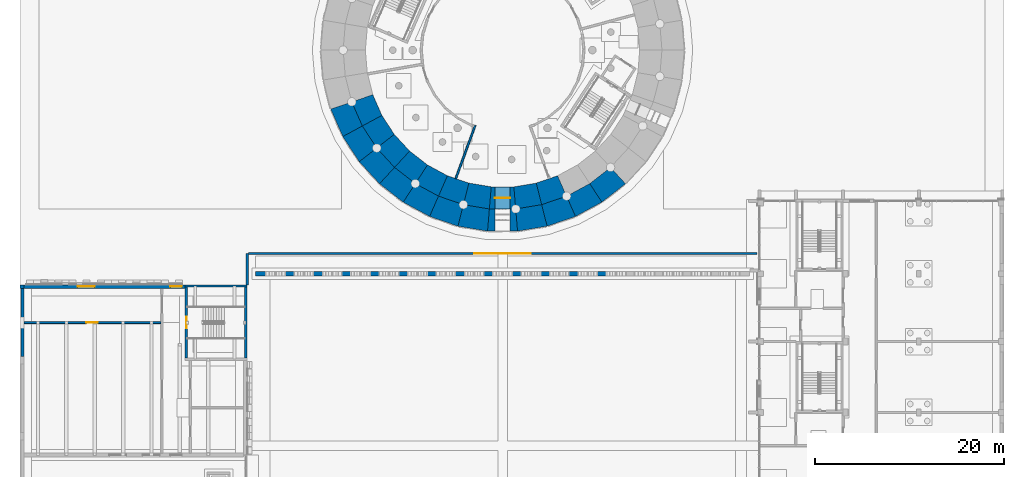
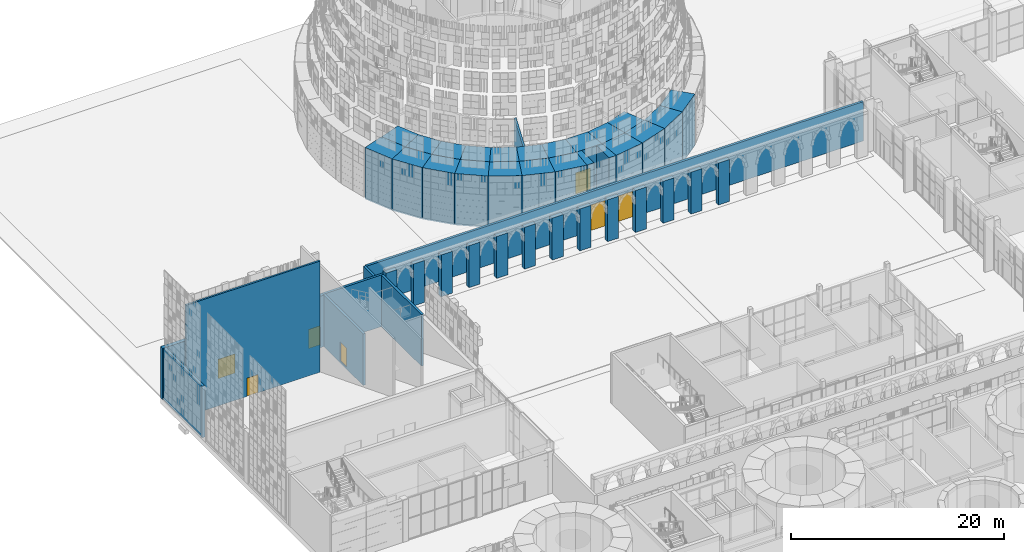
# One storey, part 56 of 125: 46 walls, 6 doors, 6 openings.
"""IFC4 building model written with IfcOpenShell, lengths in metres."""

from ifc_helpers import new_model, si_unit, direction, frame, frame_2d, origin, place, context, subcontext, project, spatial, polyline, rectangle, outline, extrude, material, layer, layer_set, type_object, element, fill, save


model = new_model("IFC4")

# Units and contexts
model_context = context("Model", 3, precision=1e-05, world=origin(), true_north=direction((0.0, 1.0)))
body_context = subcontext(model_context, "Body", "Model", "MODEL_VIEW")
ifc_project = project(units=[si_unit("LENGTHUNIT", "METRE"), si_unit("AREAUNIT", "SQUARE_METRE"), si_unit("VOLUMEUNIT", "CUBIC_METRE"), si_unit("PLANEANGLEUNIT", "RADIAN"), si_unit("MASSUNIT", "GRAM", prefix="KILO")], contexts=[model_context])

# Site, building, storey
site_placement = place(None, origin())
site = spatial("IfcSite", under=ifc_project, at=site_placement, CompositionType="ELEMENT")
building_placement = place(site_placement, origin())
building = spatial("IfcBuilding", under=site, at=building_placement, Name="Sun Court Science Centre", CompositionType="ELEMENT")
storey_placement = place(building_placement, origin())
storey = spatial("IfcBuildingStorey", under=building, at=storey_placement, Name="L00", CompositionType="ELEMENT", Elevation=0.0)

# Walls
ifc_material_1 = material(Name="Concrete C30/37", Category="concrete")
ifc_layer_1 = layer(ifc_material_1, 0.5)
ifc_layer_set_1 = layer_set([ifc_layer_1], Name="Concrete C30/37")
wall_type_1 = type_object("IfcWallType", Name="Arcade pier 500 reinforced", PredefinedType="SOLIDWALL", material=ifc_layer_set_1)
for number, where, z_axis, x_axis, name in (
    (1, (24.89990234375, 73.14990234375, 0.0), (0.0, 0.0, 1.0), (1.0, 0.0, 0.0), "Arcade pier AR2 01"),
    (2, (27.89990234375, 73.14990234375, 0.0), (0.0, 0.0, 1.0), (1.0, 0.0, 0.0), "Arcade pier AR2 02"),
    (3, (30.89990234375, 73.14990234375, 0.0), (0.0, 0.0, 1.0), (1.0, 0.0, 0.0), "Arcade pier AR2 03"),
    (4, (33.89990234375, 73.14990234375, 0.0), (0.0, 0.0, 1.0), (1.0, 0.0, 0.0), "Arcade pier AR2 04"),
    (5, (36.89990234375, 73.14990234375, 0.0), (0.0, 0.0, 1.0), (1.0, 0.0, 0.0), "Arcade pier AR2 05"),
    (6, (39.89990234375, 73.14990234375, 0.0), (0.0, 0.0, 1.0), (1.0, 0.0, 0.0), "Arcade pier AR2 06"),
    (7, (42.89990234375, 73.14990234375, 0.0), (0.0, 0.0, 1.0), (1.0, 0.0, 0.0), "Arcade pier AR2 07"),
    (8, (45.89990234375, 73.14990234375, 0.0), (0.0, 0.0, 1.0), (1.0, 0.0, 0.0), "Arcade pier AR2 08"),
    (9, (48.89990234375, 73.14990234375, 0.0), (0.0, 0.0, 1.0), (1.0, 0.0, 0.0), "Arcade pier AR2 09"),
    (10, (51.89990234375, 73.14990234375, 0.0), (0.0, 0.0, 1.0), (1.0, 0.0, 0.0), "Arcade pier AR2 10"),
    (11, (54.89990234375, 73.14990234375, 0.0), (0.0, 0.0, 1.0), (1.0, 0.0, 0.0), "Arcade pier AR2 11"),
    (12, (57.89990234375, 73.14990234375, 0.0), (0.0, 0.0, 1.0), (1.0, 0.0, 0.0), "Arcade pier AR2 12"),
    (13, (60.89990234375, 73.14990234375, 0.0), (0.0, 0.0, 1.0), (1.0, 0.0, 0.0), "Arcade pier AR2 13"),
):
    element("IfcWall", number, at=place(storey_placement, frame(where, z_axis=z_axis, x_axis=x_axis)), inside=storey, type_object=wall_type_1, Name=name, PredefinedType="SOLIDWALL", context=body_context, shape_type="SweptSolid", body=[
        extrude(rectangle(XDim=1.2001953125, YDim=0.5, at=frame_2d((0.60009765625, 0.0))), origin(), (0.0, 0.0, 1.0), 4.800048828125),
    ])
ifc_material_2 = material(Name="Concrete block", Category="concrete")
ifc_layer_2 = layer(ifc_material_2, 0.199951171875)
ifc_layer_set_2 = layer_set([ifc_layer_2], Name="Concrete block")
wall_type_2 = type_object("IfcWallType", Name="Partition 200 block EI60", PredefinedType="PARTITIONING", material=ifc_layer_set_2)
wall_1_placement = place(storey_placement, frame((46.060546875, 83.221435546875, 0.0), z_axis=(0.0, 0.0, 1.0), x_axis=(0.342011951261, 0.939695602413, 0.0)))
element("IfcWall", 14, at=wall_1_placement, inside=storey, type_object=wall_type_2, Name="L00 partition 017", PredefinedType="PARTITIONING", context=body_context, shape_type="SweptSolid", body=[
    extrude(rectangle(XDim=5.977783203125, YDim=0.199951171875, at=frame_2d((2.98876953125, 0.0))), origin(), (0.0, 0.0, 1.0), 4.800048828125),
])

# Wall, opening, door
ifc_material_3 = material(Name="Concrete block", Category="concrete")
ifc_layer_3 = layer(ifc_material_3, 0.199951171875)
ifc_layer_set_3 = layer_set([ifc_layer_3], Name="Concrete block")
wall_type_3 = type_object("IfcWallType", Name="Partition 200 projection room block EI180", PredefinedType="PARTITIONING", material=ifc_layer_set_3)
wall_2_placement = place(storey_placement, frame((0.402099609375, 68.0, 0.0), z_axis=(0.0, 0.0, 1.0), x_axis=(1.0, 0.0, 0.0)))
wall_2 = element("IfcWall", 15, at=wall_2_placement, inside=storey, type_object=wall_type_3, Name="L00 partition 004", PredefinedType="PARTITIONING", context=body_context, shape_type="SweptSolid", body=[
    extrude(rectangle(XDim=14.497802734375, YDim=0.199951171875, at=frame_2d((7.2490234375, 0.0))), origin(), (0.0, 0.0, 1.0), 12.737548828125),
])
opening_1_placement = place(wall_2_placement, frame((6.597900390625, 0.0, 0.0)))
opening_1 = element("IfcOpeningElement", 16, at=opening_1_placement, cuts=wall_2, Name="Opening D-L00-080", PredefinedType="OPENING", context=body_context, shape_type="SweptSolid", body=[
    extrude(rectangle(XDim=1.199951171875, YDim=2.10009765625, at=frame_2d((0.60009765625, 1.050048828125))), frame((0.0, 0.10986328125, 0.0), z_axis=(0.0, -1.0, 0.0), x_axis=(1.0, 0.0, 0.0)), (0.0, 0.0, 1.0), 0.219970703125),
])
ifc_material_4 = material(Name="Timber", Category="wood")
door_type_1 = type_object("IfcDoorType", Name="Door 1200x2100 single leaf", OperationType="NOTDEFINED", PredefinedType="DOOR", material=ifc_material_4)
door_1_placement = place(opening_1_placement, origin())
door_1 = element("IfcDoor", 17, at=door_1_placement, inside=storey, type_object=door_type_1, Name="Door D-L00-080", OperationType="SINGLE_SWING_RIGHT", OverallHeight=2.10009765625, OverallWidth=1.199951171875, PredefinedType="DOOR", context=body_context, shape_type="SweptSolid", body=[
    extrude(rectangle(XDim=1.199951171875, YDim=2.10009765625, at=frame_2d((0.60009765625, 1.050048828125))), frame((0.0, 0.02490234375, 0.0), z_axis=(0.0, -1.0, 0.0), x_axis=(1.0, 0.0, 0.0)), (0.0, 0.0, 1.0), 0.050048828125),
])
fill(opening_1, door_1)

# Walls
ifc_material_5 = material(Name="Concrete C30/37", Category="concrete")
ifc_layer_4 = layer(ifc_material_5, 2.343017578125)
ifc_layer_set_4 = layer_set([ifc_layer_4], Name="Concrete C30/37")
wall_type_4 = type_object("IfcWallType", Name="RC drum wall exterior 2343", PredefinedType="SHEAR", material=ifc_layer_set_4)
wall_3_placement = place(storey_placement, frame((33.9130859375, 91.036376953125, -0.199951171875), z_axis=(0.0, 0.0, 1.0), x_axis=(0.401654698368, -0.91579118978, 0.0)))
element("IfcWall", 18, at=wall_3_placement, inside=storey, type_object=wall_type_4, Name="Drum wall L00 course 1 segment 21", PredefinedType="SHEAR", context=body_context, shape_type="SweptSolid", body=[
    extrude(outline(polyline([(0.0, -1.17138671875), (3.171142578125, -1.17138671875), (2.976806640625, 1.171630859375), (0.194091796875, 1.17138671875), (0.0, -1.17138671875)])), origin(), (0.0, 0.0, 1.0), 5.89990234375),
])
wall_4_placement = place(storey_placement, frame((35.0947265625, 88.302490234375, -0.199951171875), z_axis=(0.0, 0.0, 1.0), x_axis=(0.546929878596, -0.837178420588, 0.0)))
element("IfcWall", 19, at=wall_4_placement, inside=storey, type_object=wall_type_4, Name="Drum wall L00 course 1 segment 22", PredefinedType="SHEAR", context=body_context, shape_type="SweptSolid", body=[
    extrude(outline(polyline([(0.0, -1.17138671875), (3.171142578125, -1.17138671875), (2.97705078125, 1.17138671875), (0.194091796875, 1.171630859375), (0.0, -1.17138671875)])), origin(), (0.0, 0.0, 1.0), 5.89990234375),
])
wall_5_placement = place(storey_placement, frame((36.71044921875, 85.800537109375, -0.199951171875), z_axis=(0.0, 0.0, 1.0), x_axis=(0.677243324002, -0.735759118254, 0.0)))
element("IfcWall", 20, at=wall_5_placement, inside=storey, type_object=wall_type_4, Name="Drum wall L00 course 1 segment 23", PredefinedType="SHEAR", context=body_context, shape_type="SweptSolid", body=[
    extrude(outline(polyline([(0.0, -1.171630859375), (3.1708984375, -1.17138671875), (2.976806640625, 1.171630859375), (0.194091796875, 1.171142578125), (0.0, -1.171630859375)])), origin(), (0.0, 0.0, 1.0), 5.89990234375),
])
wall_6_placement = place(storey_placement, frame((38.715576171875, 83.5986328125, -0.199951171875), z_axis=(0.0, 0.0, 1.0), x_axis=(0.789136599695, -0.614217735841, 0.0)))
element("IfcWall", 21, at=wall_6_placement, inside=storey, type_object=wall_type_4, Name="Drum wall L00 course 1 segment 24", PredefinedType="SHEAR", context=body_context, shape_type="SweptSolid", body=[
    extrude(outline(polyline([(0.0, -1.171630859375), (3.171142578125, -1.171630859375), (2.97705078125, 1.171630859375), (0.194091796875, 1.17138671875), (0.0, -1.171630859375)])), origin(), (0.0, 0.0, 1.0), 5.89990234375),
])
wall_7_placement = place(storey_placement, frame((41.05615234375, 81.756591796875, -0.199951171875), z_axis=(0.0, 0.0, 1.0), x_axis=(0.87946790064, -0.475958203778, 0.0)))
element("IfcWall", 22, at=wall_7_placement, inside=storey, type_object=wall_type_4, Name="Drum wall L00 course 1 segment 25", PredefinedType="SHEAR", context=body_context, shape_type="SweptSolid", body=[
    extrude(outline(polyline([(0.0, -1.17138671875), (3.1708984375, -1.17138671875), (2.976806640625, 1.171630859375), (0.194091796875, 1.171630859375), (0.0, -1.17138671875)])), origin(), (0.0, 0.0, 1.0), 5.89990234375),
])
wall_8_placement = place(storey_placement, frame((43.667724609375, 80.3251953125, -0.199951171875), z_axis=(0.0, 0.0, 1.0), x_axis=(0.94580413825, -0.324737635746, 0.0)))
element("IfcWall", 23, at=wall_8_placement, inside=storey, type_object=wall_type_4, Name="Drum wall L00 course 1 segment 26", PredefinedType="SHEAR", context=body_context, shape_type="SweptSolid", body=[
    extrude(outline(polyline([(0.0, -1.17138671875), (3.171142578125, -1.17138671875), (2.97705078125, 1.17138671875), (0.194091796875, 1.17138671875), (0.0, -1.17138671875)])), origin(), (0.0, 0.0, 1.0), 5.89990234375),
])
wall_9_placement = place(storey_placement, frame((46.4794921875, 79.343017578125, -0.199951171875), z_axis=(0.0, 0.0, 1.0), x_axis=(0.986358525791, -0.164611234731, 0.0)))
element("IfcWall", 24, at=wall_9_placement, inside=storey, type_object=wall_type_4, Name="Drum wall L00 course 1 segment 27", PredefinedType="SHEAR", context=body_context, shape_type="SweptSolid", body=[
    extrude(outline(polyline([(0.0, -1.17138671875), (3.171142578125, -1.17138671875), (2.97705078125, 1.17138671875), (0.194091796875, 1.171142578125), (0.0, -1.17138671875)])), origin(), (0.0, 0.0, 1.0), 5.89990234375),
])
wall_10_placement = place(storey_placement, frame((52.392822265625, 78.821044921875, -0.199951171875), z_axis=(0.0, 0.0, 1.0), x_axis=(0.986358525791, 0.164611234731, 0.0)))
element("IfcWall", 25, at=wall_10_placement, inside=storey, type_object=wall_type_4, Name="Drum wall L00 course 1 segment 29", PredefinedType="SHEAR", context=body_context, shape_type="SweptSolid", body=[
    extrude(outline(polyline([(-0.000244140625, -1.17138671875), (3.1708984375, -1.17138671875), (2.976806640625, 1.171142578125), (0.194091796875, 1.17138671875), (-0.000244140625, -1.17138671875)])), origin(), (0.0, 0.0, 1.0), 5.89990234375),
])
wall_11_placement = place(storey_placement, frame((55.3330078125, 79.29541015625, -0.199951171875), z_axis=(0.0, 0.0, 1.0), x_axis=(0.94580413825, 0.324737635746, 0.0)))
element("IfcWall", 26, at=wall_11_placement, inside=storey, type_object=wall_type_4, Name="Drum wall L00 course 1 segment 30", PredefinedType="SHEAR", context=body_context, shape_type="SweptSolid", body=[
    extrude(outline(polyline([(0.0, -1.17138671875), (3.171142578125, -1.17138671875), (2.97705078125, 1.17138671875), (0.194091796875, 1.17138671875), (0.0, -1.17138671875)])), origin(), (0.0, 0.0, 1.0), 5.89990234375),
])
wall_12_placement = place(storey_placement, frame((58.155029296875, 80.247314453125, -0.199951171875), z_axis=(0.0, 0.0, 1.0), x_axis=(0.87946790064, 0.475958203778, 0.0)))
element("IfcWall", 27, at=wall_12_placement, inside=storey, type_object=wall_type_4, Name="Drum wall L00 course 1 segment 31", PredefinedType="SHEAR", context=body_context, shape_type="SweptSolid", body=[
    extrude(outline(polyline([(0.000244140625, -1.17138671875), (3.171142578125, -1.17138671875), (2.97705078125, 1.171630859375), (0.1943359375, 1.171630859375), (0.000244140625, -1.17138671875)])), origin(), (0.0, 0.0, 1.0), 5.89990234375),
])
wall_13_placement = place(storey_placement, frame((60.781982421875, 81.65087890625, -0.199951171875), z_axis=(0.0, 0.0, 1.0), x_axis=(0.789136599695, 0.614217735841, 0.0)))
element("IfcWall", 28, at=wall_13_placement, inside=storey, type_object=wall_type_4, Name="Drum wall L00 course 1 segment 32", PredefinedType="SHEAR", context=body_context, shape_type="SweptSolid", body=[
    extrude(outline(polyline([(0.0, -1.171630859375), (3.1708984375, -1.171630859375), (2.976806640625, 1.17138671875), (0.194091796875, 1.171630859375), (0.0, -1.171630859375)])), origin(), (0.0, 0.0, 1.0), 5.89990234375),
])
wall_14_placement = place(storey_placement, frame((36.136474609375, 91.799560546875, -0.199951171875), z_axis=(0.0, 0.0, 1.0), x_axis=(0.401729909484, -0.915758199431, 0.0)))
element("IfcWall", 29, at=wall_14_placement, inside=storey, type_object=wall_type_4, Name="Drum wall L00 course 1 inner ring segment 21", PredefinedType="SHEAR", context=body_context, shape_type="SweptSolid", body=[
    extrude(outline(polyline([(-0.000244140625, -1.17138671875), (2.78271484375, -1.17138671875), (2.588623046875, 1.17138671875), (0.1943359375, 1.171630859375), (-0.000244140625, -1.17138671875)])), origin(), (0.0, 0.0, 1.0), 5.89990234375),
])
wall_15_placement = place(storey_placement, frame((37.162353515625, 89.42138671875, -0.199951171875), z_axis=(0.0, 0.0, 1.0), x_axis=(0.54694202516, -0.837170485095, 0.0)))
element("IfcWall", 30, at=wall_15_placement, inside=storey, type_object=wall_type_4, Name="Drum wall L00 course 1 inner ring segment 22", PredefinedType="SHEAR", context=body_context, shape_type="SweptSolid", body=[
    extrude(outline(polyline([(0.0, -1.17138671875), (2.78271484375, -1.171630859375), (2.588623046875, 1.17138671875), (0.19384765625, 1.17138671875), (0.0, -1.17138671875)])), origin(), (0.0, 0.0, 1.0), 5.89990234375),
])
wall_16_placement = place(storey_placement, frame((38.5654296875, 87.244384765625, -0.199951171875), z_axis=(0.0, 0.0, 1.0), x_axis=(0.677288370304, -0.735717651991, 0.0)))
element("IfcWall", 31, at=wall_16_placement, inside=storey, type_object=wall_type_4, Name="Drum wall L00 course 1 inner ring segment 23", PredefinedType="SHEAR", context=body_context, shape_type="SweptSolid", body=[
    extrude(outline(polyline([(0.0, -1.17138671875), (2.78271484375, -1.17138671875), (2.588623046875, 1.171630859375), (0.194091796875, 1.171630859375), (0.0, -1.17138671875)])), origin(), (0.0, 0.0, 1.0), 5.89990234375),
])
wall_17_placement = place(storey_placement, frame((40.307861328125, 85.328125, -0.199951171875), z_axis=(0.0, 0.0, 1.0), x_axis=(0.789144316107, -0.614207821797, 0.0)))
element("IfcWall", 32, at=wall_17_placement, inside=storey, type_object=wall_type_4, Name="Drum wall L00 course 1 inner ring segment 24", PredefinedType="SHEAR", context=body_context, shape_type="SweptSolid", body=[
    extrude(outline(polyline([(0.0, -1.17138671875), (2.78271484375, -1.17138671875), (2.588623046875, 1.171630859375), (0.1943359375, 1.17138671875), (0.0, -1.17138671875)])), origin(), (0.0, 0.0, 1.0), 5.89990234375),
])
wall_18_placement = place(storey_placement, frame((42.342041015625, 83.724609375, -0.199951171875), z_axis=(0.0, 0.0, 1.0), x_axis=(0.87946337705, -0.4759665623, 0.0)))
element("IfcWall", 33, at=wall_18_placement, inside=storey, type_object=wall_type_4, Name="Drum wall L00 course 1 inner ring segment 25", PredefinedType="SHEAR", context=body_context, shape_type="SweptSolid", body=[
    extrude(outline(polyline([(-0.000244140625, -1.17138671875), (2.782470703125, -1.17138671875), (2.58837890625, 1.171630859375), (0.194091796875, 1.171630859375), (-0.000244140625, -1.17138671875)])), origin(), (0.0, 0.0, 1.0), 5.89990234375),
])
wall_19_placement = place(storey_placement, frame((44.612060546875, 82.47802734375, -0.199951171875), z_axis=(0.0, 0.0, 1.0), x_axis=(0.945820527965, -0.324689896485, 0.0)))
element("IfcWall", 34, at=wall_19_placement, inside=storey, type_object=wall_type_4, Name="Drum wall L00 course 1 inner ring segment 26", PredefinedType="SHEAR", context=body_context, shape_type="SweptSolid", body=[
    extrude(outline(polyline([(0.0, -1.17138671875), (2.782958984375, -1.171630859375), (2.5888671875, 1.17138671875), (0.194091796875, 1.17138671875), (0.0, -1.17138671875)])), origin(), (0.0, 0.0, 1.0), 5.89990234375),
])
wall_20_placement = place(storey_placement, frame((47.056640625, 81.621826171875, -0.199951171875), z_axis=(0.0, 0.0, 1.0), x_axis=(0.98636308198, -0.164583931495, 0.0)))
element("IfcWall", 35, at=wall_20_placement, inside=storey, type_object=wall_type_4, Name="Drum wall L00 course 1 inner ring segment 27", PredefinedType="SHEAR", context=body_context, shape_type="SweptSolid", body=[
    extrude(outline(polyline([(0.0, -1.17138671875), (2.78271484375, -1.17138671875), (2.588623046875, 1.17138671875), (0.194091796875, 1.17138671875), (0.0, -1.17138671875)])), origin(), (0.0, 0.0, 1.0), 5.89990234375),
])
wall_21_placement = place(storey_placement, frame((52.198486328125, 81.163818359375, -0.199951171875), z_axis=(0.0, 0.0, 1.0), x_axis=(0.98636308198, 0.164583931495, 0.0)))
element("IfcWall", 36, at=wall_21_placement, inside=storey, type_object=wall_type_4, Name="Drum wall L00 course 1 inner ring segment 29", PredefinedType="SHEAR", context=body_context, shape_type="SweptSolid", body=[
    extrude(outline(polyline([(0.0, -1.17138671875), (2.782958984375, -1.17138671875), (2.588623046875, 1.17138671875), (0.1943359375, 1.17138671875), (0.0, -1.17138671875)])), origin(), (0.0, 0.0, 1.0), 5.89990234375),
])
wall_22_placement = place(storey_placement, frame((54.755859375, 81.574462890625, -0.199951171875), z_axis=(0.0, 0.0, 1.0), x_axis=(0.945820527965, 0.324689896485, 0.0)))
element("IfcWall", 37, at=wall_22_placement, inside=storey, type_object=wall_type_4, Name="Drum wall L00 course 1 inner ring segment 30", PredefinedType="SHEAR", context=body_context, shape_type="SweptSolid", body=[
    extrude(outline(polyline([(0.0, -1.171630859375), (2.782958984375, -1.17138671875), (2.588623046875, 1.17138671875), (0.194091796875, 1.17138671875), (0.0, -1.171630859375)])), origin(), (0.0, 0.0, 1.0), 5.89990234375),
])

# Wall, opening, door
wall_23_placement = place(storey_placement, frame((52.391357421875, 81.179931640625, -0.199951171875), z_axis=(0.0, 0.0, 1.0), x_axis=(-1.0, 0.0, 0.0)))
wall_23 = element("IfcWall", 38, at=wall_23_placement, inside=storey, type_object=wall_type_4, Name="Drum wall L00 course 1 segment 28", PredefinedType="SHEAR", context=body_context, shape_type="SweptSolid", body=[
    extrude(outline(polyline([(2.78271484375, 1.171630859375), (0.0, 1.171630859375), (0.194091796875, -1.17138671875), (2.588623046875, -1.17138671875), (2.78271484375, 1.171630859375)])), origin(), (0.0, 0.0, 1.0), 5.89990234375),
])
opening_2_placement = place(wall_23_placement, frame((0.59130859375, 0.0, 0.199951171875)))
opening_2 = element("IfcOpeningElement", 39, at=opening_2_placement, cuts=wall_23, Name="Opening D-L00-096", PredefinedType="OPENING", context=body_context, shape_type="SweptSolid", body=[
    extrude(rectangle(XDim=1.60009765625, YDim=2.39990234375, at=frame_2d((0.800048828125, 1.199951171875))), frame((0.0, 1.181396484375, 0.0), z_axis=(0.0, -1.0, 0.0), x_axis=(1.0, 0.0, 0.0)), (0.0, 0.0, 1.0), 2.36279296875),
])
ifc_material_6 = material(Name="Aluminium and toughened glass", Category="aluminium")
door_type_2 = type_object("IfcDoorType", Name="Exterior door 1600 x 2400 double entrance", OperationType="DOUBLE_DOOR_SINGLE_SWING", PredefinedType="DOOR", material=ifc_material_6)
door_2_placement = place(opening_2_placement, origin())
door_2 = element("IfcDoor", 40, at=door_2_placement, inside=storey, type_object=door_type_2, Name="Exterior door D-L00-096 to the sun court", OperationType="SINGLE_SWING_LEFT", OverallHeight=2.39990234375, OverallWidth=1.60009765625, PredefinedType="DOOR", context=body_context, shape_type="SweptSolid", body=[
    extrude(rectangle(XDim=1.60009765625, YDim=2.39990234375, at=frame_2d((0.800048828125, 1.199951171875))), frame((0.0, 0.02490234375, 0.0), z_axis=(0.0, -1.0, 0.0), x_axis=(1.0, 0.0, 0.0)), (0.0, 0.0, 1.0), 0.050048828125),
])
fill(opening_2, door_2)

# Walls
wall_24_placement = place(storey_placement, frame((49.41455078125, 78.8369140625, -0.199951171875), z_axis=(0.0, 0.0, 1.0), x_axis=(1.0, 0.0, 0.0)))
element("IfcWall", 41, at=wall_24_placement, inside=storey, type_object=wall_type_4, Name="Drum wall L00 course 1 segment 28 entrance recess", PredefinedType="SHEAR", context=body_context, shape_type="SweptSolid", body=[
    extrude(outline(polyline([(0.0, -1.17138671875), (0.194091796875, 1.17138671875), (0.785400390625, 1.17138671875), (0.785400390625, -1.17138671875), (0.0, -1.17138671875)])), origin(), (0.0, 0.0, 1.0), 5.89990234375),
])
wall_25_placement = place(storey_placement, frame((51.800048828125, 78.8369140625, -0.199951171875), z_axis=(0.0, 0.0, 1.0), x_axis=(1.0, 0.0, 0.0)))
element("IfcWall", 42, at=wall_25_placement, inside=storey, type_object=wall_type_4, Name="Drum wall L00 course 1 segment 28 entrance recess", PredefinedType="SHEAR", context=body_context, shape_type="SweptSolid", body=[
    extrude(outline(polyline([(0.59130859375, 1.17138671875), (0.785400390625, -1.17138671875), (0.0, -1.17138671875), (0.0, 1.17138671875), (0.59130859375, 1.17138671875)])), origin(), (0.0, 0.0, 1.0), 5.89990234375),
])
ifc_material_7 = material(Name="Concrete C30/37", Category="concrete")
ifc_layer_5 = layer(ifc_material_7, 0.300048828125)
ifc_layer_set_5 = layer_set([ifc_layer_5], Name="Concrete C30/37")
wall_type_5 = type_object("IfcWallType", Name="RC party wall panel exterior 300", PredefinedType="SOLIDWALL", material=ifc_layer_set_5)
wall_26_placement = place(storey_placement, frame((0.25, 64.39990234375, -0.199951171875), z_axis=(0.0, 0.0, 1.0), x_axis=(0.0, 1.0, 0.0)))
element("IfcWall", 43, at=wall_26_placement, inside=storey, type_object=wall_type_5, Name="West party wall panel L00", PredefinedType="SOLIDWALL", context=body_context, shape_type="SweptSolid", body=[
    extrude(rectangle(XDim=7.2001953125, YDim=0.300048828125, at=frame_2d((3.60009765625, 0.0))), origin(), (0.0, 0.0, 1.0), 5.89990234375),
])
ifc_material_8 = material(Name="Concrete C30/37", Category="concrete")
ifc_layer_6 = layer(ifc_material_8, 0.25)
ifc_layer_set_6 = layer_set([ifc_layer_6], Name="Concrete C30/37")
wall_type_6 = type_object("IfcWallType", Name="RC stair core wall 250", PredefinedType="SHEAR", material=ifc_layer_set_6)
wall_27_placement = place(storey_placement, frame((23.875, 64.25, -0.199951171875), z_axis=(0.0, 0.0, 1.0), x_axis=(0.0, 1.0, 0.0)))
element("IfcWall", 44, at=wall_27_placement, inside=storey, type_object=wall_type_6, Name="Stair core ST2 wall E, L00", PredefinedType="SHEAR", context=body_context, shape_type="SweptSolid", body=[
    extrude(rectangle(XDim=7.5, YDim=0.25, at=frame_2d((3.75, 0.0))), origin(), (0.0, 0.0, 1.0), 5.89990234375),
])
wall_28_placement = place(storey_placement, frame((17.449951171875, 71.875, -0.199951171875), z_axis=(0.0, 0.0, 1.0), x_axis=(1.0, 0.0, 0.0)))
element("IfcWall", 45, at=wall_28_placement, inside=storey, type_object=wall_type_6, Name="Stair core ST2 wall N, L00", PredefinedType="SHEAR", context=body_context, shape_type="SweptSolid", body=[
    extrude(rectangle(XDim=6.550048828125, YDim=0.25, at=frame_2d((3.27490234375, 0.0))), origin(), (0.0, 0.0, 1.0), 5.89990234375),
])

# Wall, opening, door
wall_29_placement = place(storey_placement, frame((17.574951171875, 64.25, -0.199951171875), z_axis=(0.0, 0.0, 1.0), x_axis=(0.0, 1.0, 0.0)))
wall_29 = element("IfcWall", 46, at=wall_29_placement, inside=storey, type_object=wall_type_6, Name="Stair core ST2 wall W, L00", PredefinedType="SHEAR", context=body_context, shape_type="SweptSolid", body=[
    extrude(rectangle(XDim=7.5, YDim=0.25, at=frame_2d((3.75, 0.0))), origin(), (0.0, 0.0, 1.0), 5.89990234375),
])
opening_3_placement = place(wall_29_placement, frame((3.15087890625, 0.0, 0.199951171875)))
opening_3 = element("IfcOpeningElement", 47, at=opening_3_placement, cuts=wall_29, Name="Opening D-L00-068", PredefinedType="OPENING", context=body_context, shape_type="SweptSolid", body=[
    extrude(rectangle(XDim=1.199951171875, YDim=2.199951171875, at=frame_2d((0.60009765625, 1.10009765625))), frame((0.0, 0.135009765625, 0.0), z_axis=(0.0, -1.0, 0.0), x_axis=(1.0, 0.0, 0.0)), (0.0, 0.0, 1.0), 0.27001953125),
])
ifc_material_9 = material(Name="Steel", Category="steel")
door_type_3 = type_object("IfcDoorType", Name="Door 1200x2200 single leaf FD60", OperationType="NOTDEFINED", PredefinedType="DOOR", material=ifc_material_9)
door_3_placement = place(opening_3_placement, origin())
door_3 = element("IfcDoor", 48, at=door_3_placement, inside=storey, type_object=door_type_3, Name="Door D-L00-068", OperationType="SINGLE_SWING_RIGHT", OverallHeight=2.199951171875, OverallWidth=1.199951171875, PredefinedType="DOOR", context=body_context, shape_type="SweptSolid", body=[
    extrude(rectangle(XDim=1.199951171875, YDim=2.199951171875, at=frame_2d((0.60009765625, 1.10009765625))), frame((0.0, 0.02490234375, 0.0), z_axis=(0.0, -1.0, 0.0), x_axis=(1.0, 0.0, 0.0)), (0.0, 0.0, 1.0), 0.050048828125),
])
fill(opening_3, door_3)

# Wall
ifc_material_10 = material(Name="Concrete C30/37", Category="concrete")
ifc_layer_7 = layer(ifc_material_10, 0.39990234375)
ifc_layer_set_7 = layer_set([ifc_layer_7], Name="Concrete C30/37")
wall_type_7 = type_object("IfcWallType", Name="RC theatre wall exterior 400", PredefinedType="SOLIDWALL", material=ifc_layer_set_7)
wall_30_placement = place(storey_placement, frame((0.199951171875, 71.60009765625, -0.199951171875), z_axis=(0.0, 0.0, 1.0), x_axis=(0.0, 1.0, 0.0)))
element("IfcWall", 49, at=wall_30_placement, inside=storey, type_object=wall_type_7, Name="West party wall L00", PredefinedType="SOLIDWALL", context=body_context, shape_type="SweptSolid", body=[
    extrude(rectangle(XDim=0.39990234375, YDim=0.39990234375, at=frame_2d((0.199951171875, 0.0))), origin(), (0.0, 0.0, 1.0), 5.89990234375),
])

# Wall, openings, doors
wall_31_placement = place(storey_placement, frame((0.39990234375, 71.800048828125, -0.199951171875), z_axis=(0.0, 0.0, 1.0), x_axis=(1.0, 0.0, 0.0)))
wall_31 = element("IfcWall", 50, at=wall_31_placement, inside=storey, type_object=wall_type_7, Name="North stage-house wall L00", PredefinedType="SOLIDWALL", context=body_context, shape_type="SweptSolid", body=[
    extrude(rectangle(XDim=17.050048828125, YDim=0.39990234375, at=frame_2d((8.52490234375, 0.0))), origin(), (0.0, 0.0, 1.0), 5.89990234375),
])
opening_4_placement = place(wall_31_placement, frame((15.5, 0.0, 0.199951171875)))
opening_4 = element("IfcOpeningElement", 51, at=opening_4_placement, cuts=wall_31, Name="Opening D-L00-083", PredefinedType="OPENING", context=body_context, shape_type="SweptSolid", body=[
    extrude(rectangle(XDim=1.199951171875, YDim=2.199951171875, at=frame_2d((0.60009765625, 1.10009765625))), frame((0.0, 0.2099609375, 0.0), z_axis=(0.0, -1.0, 0.0), x_axis=(1.0, 0.0, 0.0)), (0.0, 0.0, 1.0), 0.419921875),
])
opening_5_placement = place(wall_31_placement, frame((5.699951171875, 0.0, 0.199951171875)))
opening_5 = element("IfcOpeningElement", 52, at=opening_5_placement, cuts=wall_31, Name="Opening D-L00-084", PredefinedType="OPENING", context=body_context, shape_type="SweptSolid", body=[
    extrude(rectangle(XDim=1.800048828125, YDim=2.199951171875, at=frame_2d((0.89990234375, 1.10009765625))), frame((0.0, 0.2099609375, 0.0), z_axis=(0.0, -1.0, 0.0), x_axis=(1.0, 0.0, 0.0)), (0.0, 0.0, 1.0), 0.419921875),
])
ifc_material_11 = material(Name="Steel and glass", Category="steel")
door_type_4 = type_object("IfcDoorType", Name="Exterior door 1200 x 2200 single", OperationType="SINGLE_SWING_LEFT", PredefinedType="DOOR", material=ifc_material_11)
door_4_placement = place(opening_4_placement, origin())
door_4 = element("IfcDoor", 53, at=door_4_placement, inside=storey, type_object=door_type_4, Name="Exterior door D-L00-083 to the rear yard", OperationType="SINGLE_SWING_LEFT", OverallHeight=2.199951171875, OverallWidth=1.199951171875, PredefinedType="DOOR", context=body_context, shape_type="SweptSolid", body=[
    extrude(rectangle(XDim=1.199951171875, YDim=2.199951171875, at=frame_2d((0.60009765625, 1.10009765625))), frame((0.0, 0.02490234375, 0.0), z_axis=(0.0, -1.0, 0.0), x_axis=(1.0, 0.0, 0.0)), (0.0, 0.0, 1.0), 0.050048828125),
])
fill(opening_4, door_4)
ifc_material_12 = material(Name="Steel and glass", Category="steel")
door_type_5 = type_object("IfcDoorType", Name="Exterior door 1800 x 2200 double", OperationType="DOUBLE_DOOR_SINGLE_SWING", PredefinedType="DOOR", material=ifc_material_12)
door_5_placement = place(opening_5_placement, origin())
door_5 = element("IfcDoor", 54, at=door_5_placement, inside=storey, type_object=door_type_5, Name="Exterior door D-L00-084 to the rear yard", OperationType="SINGLE_SWING_LEFT", OverallHeight=2.199951171875, OverallWidth=1.800048828125, PredefinedType="DOOR", context=body_context, shape_type="SweptSolid", body=[
    extrude(rectangle(XDim=1.800048828125, YDim=2.199951171875, at=frame_2d((0.89990234375, 1.10009765625))), frame((0.0, 0.02490234375, 0.0), z_axis=(0.0, -1.0, 0.0), x_axis=(1.0, 0.0, 0.0)), (0.0, 0.0, 1.0), 0.050048828125),
])
fill(opening_5, door_5)

# Wall
ifc_material_13 = material(Name="Terracotta", Category="masonry")
ifc_layer_8 = layer(ifc_material_13, 0.25)
ifc_layer_set_8 = layer_set([ifc_layer_8], Name="Terracotta")
wall_type_8 = type_object("IfcWallType", Name="Terracotta jali court wall 250", PredefinedType="SOLIDWALL", material=ifc_layer_set_8)
wall_32_placement = place(storey_placement, frame((24.0, 72.0, 0.0), z_axis=(0.0, 0.0, 1.0), x_axis=(0.0, 1.0, 0.0)))
element("IfcWall", 55, at=wall_32_placement, inside=storey, type_object=wall_type_8, Name="Court screen wall CW3", PredefinedType="SOLIDWALL", context=body_context, shape_type="SweptSolid", body=[
    extrude(rectangle(XDim=3.300048828125, YDim=0.25, at=frame_2d((1.64990234375, 0.0))), origin(), (0.0, 0.0, 1.0), 4.5),
])

# Wall, opening, door
wall_33_placement = place(storey_placement, frame((24.125, 75.300048828125, 0.0), z_axis=(0.0, 0.0, 1.0), x_axis=(1.0, 0.0, 0.0)))
wall_33 = element("IfcWall", 56, at=wall_33_placement, inside=storey, type_object=wall_type_8, Name="Court screen wall CW4", PredefinedType="SOLIDWALL", context=body_context, shape_type="SweptSolid", body=[
    extrude(rectangle(XDim=53.77490234375, YDim=0.25, at=frame_2d((26.887451171875, 0.0))), origin(), (0.0, 0.0, 1.0), 4.5),
])
opening_6_placement = place(wall_33_placement, frame((23.875, 0.0, 0.0)))
opening_6 = element("IfcOpeningElement", 57, at=opening_6_placement, cuts=wall_33, Name="Opening D-L00-G04", PredefinedType="OPENING", context=body_context, shape_type="SweptSolid", body=[
    extrude(rectangle(XDim=6.0, YDim=3.0, at=frame_2d((3.0, 1.5))), frame((0.0, 0.135009765625, 0.0), z_axis=(0.0, -1.0, 0.0), x_axis=(1.0, 0.0, 0.0)), (0.0, 0.0, 1.0), 0.27001953125),
])
ifc_material_14 = material(Name="Steel, painted", Category="steel")
door_type_6 = type_object("IfcDoorType", Name="Court gate 6000 x 3000", OperationType="DOUBLE_DOOR_SLIDING", PredefinedType="DOOR", material=ifc_material_14)
door_6_placement = place(opening_6_placement, origin())
door_6 = element("IfcDoor", 58, at=door_6_placement, inside=storey, type_object=door_type_6, Name="Court gate D-L00-G04", OperationType="DOUBLE_DOOR_SLIDING", OverallHeight=3.0, OverallWidth=6.0, PredefinedType="DOOR", context=body_context, shape_type="SweptSolid", body=[
    extrude(rectangle(XDim=6.0, YDim=3.0, at=frame_2d((3.0, 1.5))), frame((0.0, 0.02490234375, 0.0), z_axis=(0.0, -1.0, 0.0), x_axis=(1.0, 0.0, 0.0)), (0.0, 0.0, 1.0), 0.050048828125),
])
fill(opening_6, door_6)

save(model, "model.ifc")
